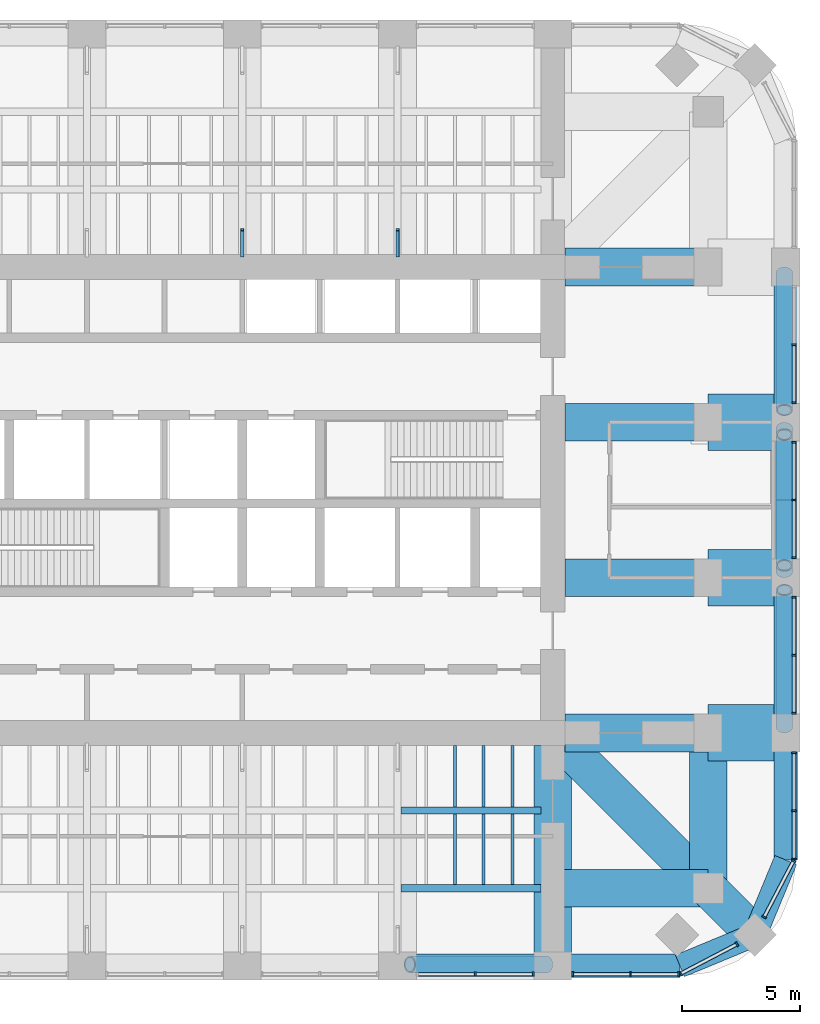
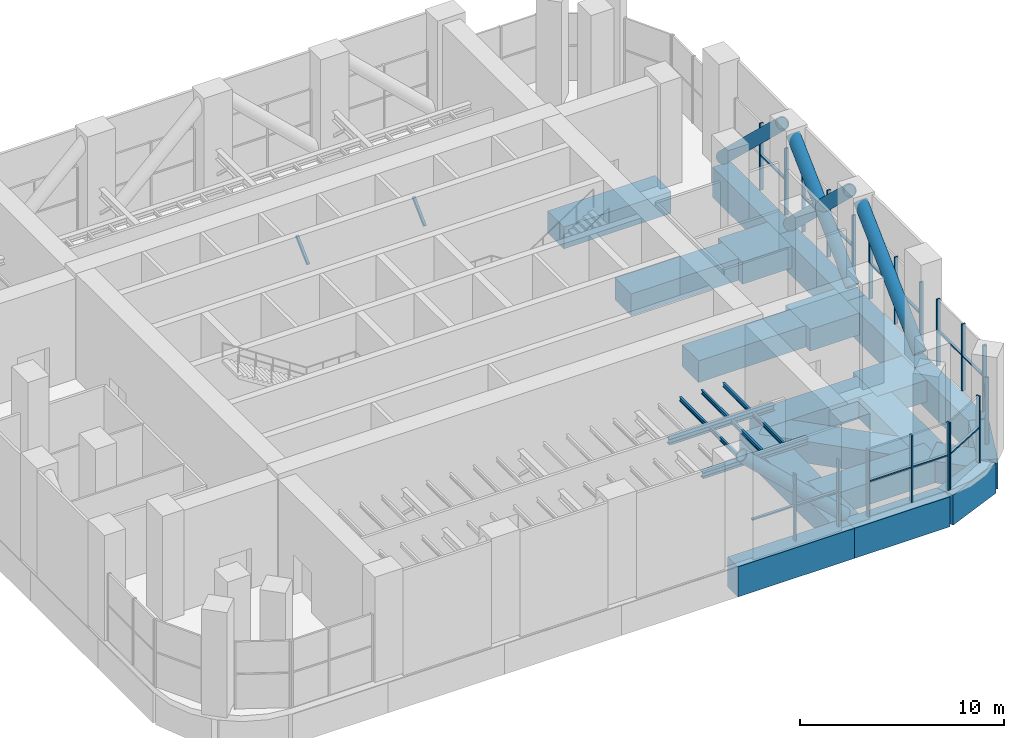
# One storey, part 4 of 15: 40 members, 28 beams, 8 elements without a shape of their own.
"""IFC4 building model written with IfcOpenShell, lengths in metres."""

from ifc_helpers import new_model, si_unit, direction, frame, origin, origin_2d, place, context, subcontext, project, spatial, rectangle, hollow_rectangle, hollow_circle, i_section, extrude, material, material_profile, profile_set, type_object, element, aggregate, save


model = new_model("IFC4")

# Units and contexts
model_context = context("Model", 3, precision=1e-05, world=origin(), true_north=direction((0.0, 1.0)))
body_context = subcontext(model_context, "Body", "Model", "MODEL_VIEW")
ifc_project = project(units=[si_unit("LENGTHUNIT", "METRE"), si_unit("AREAUNIT", "SQUARE_METRE"), si_unit("VOLUMEUNIT", "CUBIC_METRE"), si_unit("PLANEANGLEUNIT", "RADIAN"), si_unit("MASSUNIT", "GRAM", prefix="KILO")], contexts=[model_context])

# Site, building, storey
site_placement = place(None, origin())
site = spatial("IfcSite", under=ifc_project, at=site_placement, CompositionType="ELEMENT")
building_placement = place(site_placement, origin())
building = spatial("IfcBuilding", under=site, at=building_placement, Name="Cobogo Forest Laboratory Tower", CompositionType="ELEMENT")
storey_placement = place(building_placement, frame((0.0, 0.0, 222.89990234375)))
storey = spatial("IfcBuildingStorey", under=building, at=storey_placement, Name="L51", CompositionType="ELEMENT", Elevation=222.89990234375)

# Members
ifc_material_1 = material(Name="Steel S460NH", Category="steel")
ifc_material_profile_1 = material_profile(ifc_material_1, hollow_circle(Radius=0.35546875, WallThickness=0.06005859375, at=origin_2d()), Name="CHS 711x60")
ifc_profile_set_1 = profile_set([ifc_material_profile_1], Name="Steel S460NH")
member_type_1 = type_object("IfcMemberType", Name="Belt truss diagonal CHS 711x60", PredefinedType="BRACE", material=ifc_profile_set_1)
for number, where, z_axis, x_axis, name in (
    (1, (39.35009765625, 3.360107421875, 0.23876953125), (-0.723363796511, 0.0, 0.690467101242), (0.0, -1.0, 0.0), "BT1 belt truss diagonal S04 L51"),
    (2, (49.43994140625, 13.449951171875, 0.23876953125), (0.0, 0.723363796511, 0.690467101242), (-1.0, 0.0, 0.0), "BT1 belt truss diagonal E05 L51"),
    (3, (49.43994140625, 20.050048828125, 0.23876953125), (0.0, 0.723349354665, 0.69048223084), (-1.0, 0.0, 0.0), "BT1 belt truss diagonal E06 L51"),
    (4, (49.43994140625, 26.14990234375, 0.23876953125), (0.0, -0.723349354665, 0.69048223084), (1.0, 0.0, 0.0), "BT1 belt truss diagonal E07 L51"),
    (5, (49.43994140625, 32.75, 0.23876953125), (0.0, -0.723363796511, 0.690467101242), (1.0, 0.0, 0.0), "BT1 belt truss diagonal E08 L51"),
):
    element("IfcMember", number, at=place(storey_placement, frame(where, z_axis=z_axis, x_axis=x_axis)), inside=storey, type_object=member_type_1, Name=name, PredefinedType="BRACE", context=body_context, shape_type="SweptSolid", body=[
        extrude(hollow_circle(Radius=0.35546875, WallThickness=0.06005859375, at=origin_2d()), origin(), (0.0, 0.0, 1.0), 8.0595703125),
    ])

# Curtain wall, members
ifc_material_2 = material(Name="Aluminium curtain wall", Category="aluminium")
curtain_wall_type = type_object("IfcCurtainWallType", Name="CW-P louvred curtain wall, plant floors", PredefinedType="USERDEFINED", material=ifc_material_2)
curtain_wall_1_placement = place(storey_placement, origin())
curtain_wall_1 = element("IfcCurtainWall", 6, at=curtain_wall_1_placement, inside=storey, type_object=curtain_wall_type, Name="Curtain wall 05 L51", ObjectType="LOUVRED CURTAIN WALL", PredefinedType="USERDEFINED")
ifc_material_3 = material(Name="Aluminium mullion", Category="aluminium")
ifc_material_profile_2 = material_profile(ifc_material_3, rectangle(XDim=0.080078125, YDim=0.199951171875, at=origin_2d()), Name="AL 80x200")
ifc_profile_set_2 = profile_set([ifc_material_profile_2], Name="Aluminium mullion")
member_type_2 = type_object("IfcMemberType", Name="MU-3 aluminium louvre mullion 80x200", PredefinedType="MULLION", material=ifc_profile_set_2)
member_1_placement = place(storey_placement, frame((36.300048828125, 2.949951171875, 0.0), z_axis=(0.0, 0.0, 1.0), x_axis=(1.0, 0.0, 0.0)))
member_1 = element("IfcMember", 7, at=member_1_placement, type_object=member_type_2, Name="CW-P mullion 2", PredefinedType="MULLION", context=body_context, shape_type="SweptSolid", body=[
    extrude(rectangle(XDim=0.080078125, YDim=0.199951171875, at=origin_2d()), origin(), (0.0, 0.0, 1.0), 4.0),
])
member_2_placement = place(storey_placement, frame((38.760009765625, 2.949951171875, 0.0), z_axis=(0.0, 0.0, 1.0), x_axis=(1.0, 0.0, 0.0)))
member_2 = element("IfcMember", 8, at=member_2_placement, type_object=member_type_2, Name="CW-P mullion 3", PredefinedType="MULLION", context=body_context, shape_type="SweptSolid", body=[
    extrude(rectangle(XDim=0.080078125, YDim=0.199951171875, at=origin_2d()), origin(), (0.0, 0.0, 1.0), 4.0),
])

curtain_wall_2_placement = place(storey_placement, origin())
curtain_wall_2 = element("IfcCurtainWall", 9, at=curtain_wall_2_placement, inside=storey, type_object=curtain_wall_type, Name="Curtain wall 06 L51", ObjectType="LOUVRED CURTAIN WALL", PredefinedType="USERDEFINED")
member_3_placement = place(storey_placement, frame((40.43994140625, 2.949951171875, 0.0), z_axis=(0.0, 0.0, 1.0), x_axis=(1.0, 0.0, 0.0)))
member_3 = element("IfcMember", 10, at=member_3_placement, type_object=member_type_2, Name="CW-P mullion 1", PredefinedType="MULLION", context=body_context, shape_type="SweptSolid", body=[
    extrude(rectangle(XDim=0.080078125, YDim=0.199951171875, at=origin_2d()), origin(), (0.0, 0.0, 1.0), 4.0),
])
member_4_placement = place(storey_placement, frame((42.89990234375, 2.949951171875, 0.0), z_axis=(0.0, 0.0, 1.0), x_axis=(1.0, 0.0, 0.0)))
member_4 = element("IfcMember", 11, at=member_4_placement, type_object=member_type_2, Name="CW-P mullion 2", PredefinedType="MULLION", context=body_context, shape_type="SweptSolid", body=[
    extrude(rectangle(XDim=0.080078125, YDim=0.199951171875, at=origin_2d()), origin(), (0.0, 0.0, 1.0), 4.0),
])
member_5_placement = place(storey_placement, frame((44.9599609375, 2.949951171875, 0.0), z_axis=(0.0, 0.0, 1.0), x_axis=(1.0, 0.0, 0.0)))
member_5 = element("IfcMember", 12, at=member_5_placement, type_object=member_type_2, Name="CW-P mullion 3", PredefinedType="MULLION", context=body_context, shape_type="SweptSolid", body=[
    extrude(rectangle(XDim=0.080078125, YDim=0.199951171875, at=origin_2d()), origin(), (0.0, 0.0, 1.0), 4.0),
])

curtain_wall_3_placement = place(storey_placement, origin())
curtain_wall_3 = element("IfcCurtainWall", 13, at=curtain_wall_3_placement, inside=storey, type_object=curtain_wall_type, Name="Curtain wall 07 L51", ObjectType="LOUVRED CURTAIN WALL", PredefinedType="USERDEFINED")
member_6_placement = place(storey_placement, frame((45.035400390625, 2.968505859375, 0.0), z_axis=(0.0, 0.0, 1.0), x_axis=(0.885686547075, 0.464283685186, 0.0)))
member_6 = element("IfcMember", 14, at=member_6_placement, type_object=member_type_2, Name="CW-P mullion 1", PredefinedType="MULLION", context=body_context, shape_type="SweptSolid", body=[
    extrude(rectangle(XDim=0.080078125, YDim=0.199951171875, at=origin_2d()), origin(), (0.0, 0.0, 1.0), 4.0),
])
member_7_placement = place(storey_placement, frame((47.4228515625, 4.219970703125, 0.0), z_axis=(0.0, 0.0, 1.0), x_axis=(0.885686547075, 0.464283685186, 0.0)))
member_7 = element("IfcMember", 15, at=member_7_placement, type_object=member_type_2, Name="CW-P mullion 2", PredefinedType="MULLION", context=body_context, shape_type="SweptSolid", body=[
    extrude(rectangle(XDim=0.080078125, YDim=0.199951171875, at=origin_2d()), origin(), (0.0, 0.0, 1.0), 4.0),
])

curtain_wall_4_placement = place(storey_placement, origin())
curtain_wall_4 = element("IfcCurtainWall", 16, at=curtain_wall_4_placement, inside=storey, type_object=curtain_wall_type, Name="Curtain wall 08 L51", ObjectType="LOUVRED CURTAIN WALL", PredefinedType="USERDEFINED")
member_8_placement = place(storey_placement, frame((48.579833984375, 5.377197265625, 0.0), z_axis=(0.0, 0.0, 1.0), x_axis=(0.464283685186, 0.885686547075, 0.0)))
member_8 = element("IfcMember", 17, at=member_8_placement, type_object=member_type_2, Name="CW-P mullion 1", PredefinedType="MULLION", context=body_context, shape_type="SweptSolid", body=[
    extrude(rectangle(XDim=0.080078125, YDim=0.199951171875, at=origin_2d()), origin(), (0.0, 0.0, 1.0), 4.0),
])
member_9_placement = place(storey_placement, frame((49.83154296875, 7.7646484375, 0.0), z_axis=(0.0, 0.0, 1.0), x_axis=(0.464283685186, 0.885686547075, 0.0)))
member_9 = element("IfcMember", 18, at=member_9_placement, type_object=member_type_2, Name="CW-P mullion 2", PredefinedType="MULLION", context=body_context, shape_type="SweptSolid", body=[
    extrude(rectangle(XDim=0.080078125, YDim=0.199951171875, at=origin_2d()), origin(), (0.0, 0.0, 1.0), 4.0),
])

curtain_wall_5_placement = place(storey_placement, origin())
curtain_wall_5 = element("IfcCurtainWall", 19, at=curtain_wall_5_placement, inside=storey, type_object=curtain_wall_type, Name="Curtain wall 09 L51", ObjectType="LOUVRED CURTAIN WALL", PredefinedType="USERDEFINED")
member_10_placement = place(storey_placement, frame((49.85009765625, 7.840087890625, 0.0), z_axis=(0.0, 0.0, 1.0), x_axis=(0.0, 1.0, 0.0)))
member_10 = element("IfcMember", 20, at=member_10_placement, type_object=member_type_2, Name="CW-P mullion 1", PredefinedType="MULLION", context=body_context, shape_type="SweptSolid", body=[
    extrude(rectangle(XDim=0.080078125, YDim=0.199951171875, at=origin_2d()), origin(), (0.0, 0.0, 1.0), 4.0),
])
member_11_placement = place(storey_placement, frame((49.85009765625, 9.89990234375, 0.0), z_axis=(0.0, 0.0, 1.0), x_axis=(0.0, 1.0, 0.0)))
member_11 = element("IfcMember", 21, at=member_11_placement, type_object=member_type_2, Name="CW-P mullion 2", PredefinedType="MULLION", context=body_context, shape_type="SweptSolid", body=[
    extrude(rectangle(XDim=0.080078125, YDim=0.199951171875, at=origin_2d()), origin(), (0.0, 0.0, 1.0), 4.0),
])
member_12_placement = place(storey_placement, frame((49.85009765625, 12.360107421875, 0.0), z_axis=(0.0, 0.0, 1.0), x_axis=(0.0, 1.0, 0.0)))
member_12 = element("IfcMember", 22, at=member_12_placement, type_object=member_type_2, Name="CW-P mullion 3", PredefinedType="MULLION", context=body_context, shape_type="SweptSolid", body=[
    extrude(rectangle(XDim=0.080078125, YDim=0.199951171875, at=origin_2d()), origin(), (0.0, 0.0, 1.0), 4.0),
])

curtain_wall_6_placement = place(storey_placement, origin())
curtain_wall_6 = element("IfcCurtainWall", 23, at=curtain_wall_6_placement, inside=storey, type_object=curtain_wall_type, Name="Curtain wall 10 L51", ObjectType="LOUVRED CURTAIN WALL", PredefinedType="USERDEFINED")
member_13_placement = place(storey_placement, frame((49.85009765625, 14.0400390625, 0.0), z_axis=(0.0, 0.0, 1.0), x_axis=(0.0, 1.0, 0.0)))
member_13 = element("IfcMember", 24, at=member_13_placement, type_object=member_type_2, Name="CW-P mullion 1", PredefinedType="MULLION", context=body_context, shape_type="SweptSolid", body=[
    extrude(rectangle(XDim=0.080078125, YDim=0.199951171875, at=origin_2d()), origin(), (0.0, 0.0, 1.0), 4.0),
])
member_14_placement = place(storey_placement, frame((49.85009765625, 16.5, 0.0), z_axis=(0.0, 0.0, 1.0), x_axis=(0.0, 1.0, 0.0)))
member_14 = element("IfcMember", 25, at=member_14_placement, type_object=member_type_2, Name="CW-P mullion 2", PredefinedType="MULLION", context=body_context, shape_type="SweptSolid", body=[
    extrude(rectangle(XDim=0.080078125, YDim=0.199951171875, at=origin_2d()), origin(), (0.0, 0.0, 1.0), 4.0),
])
member_15_placement = place(storey_placement, frame((49.85009765625, 18.9599609375, 0.0), z_axis=(0.0, 0.0, 1.0), x_axis=(0.0, 1.0, 0.0)))
member_15 = element("IfcMember", 26, at=member_15_placement, type_object=member_type_2, Name="CW-P mullion 3", PredefinedType="MULLION", context=body_context, shape_type="SweptSolid", body=[
    extrude(rectangle(XDim=0.080078125, YDim=0.199951171875, at=origin_2d()), origin(), (0.0, 0.0, 1.0), 4.0),
])

curtain_wall_7_placement = place(storey_placement, origin())
curtain_wall_7 = element("IfcCurtainWall", 27, at=curtain_wall_7_placement, inside=storey, type_object=curtain_wall_type, Name="Curtain wall 11 L51", ObjectType="LOUVRED CURTAIN WALL", PredefinedType="USERDEFINED")
member_16_placement = place(storey_placement, frame((49.85009765625, 20.639892578125, 0.0), z_axis=(0.0, 0.0, 1.0), x_axis=(0.0, 1.0, 0.0)))
member_16 = element("IfcMember", 28, at=member_16_placement, type_object=member_type_2, Name="CW-P mullion 1", PredefinedType="MULLION", context=body_context, shape_type="SweptSolid", body=[
    extrude(rectangle(XDim=0.080078125, YDim=0.199951171875, at=origin_2d()), origin(), (0.0, 0.0, 1.0), 4.0),
])
member_17_placement = place(storey_placement, frame((49.85009765625, 23.10009765625, 0.0), z_axis=(0.0, 0.0, 1.0), x_axis=(0.0, 1.0, 0.0)))
member_17 = element("IfcMember", 29, at=member_17_placement, type_object=member_type_2, Name="CW-P mullion 2", PredefinedType="MULLION", context=body_context, shape_type="SweptSolid", body=[
    extrude(rectangle(XDim=0.080078125, YDim=0.199951171875, at=origin_2d()), origin(), (0.0, 0.0, 1.0), 4.0),
])
member_18_placement = place(storey_placement, frame((49.85009765625, 25.56005859375, 0.0), z_axis=(0.0, 0.0, 1.0), x_axis=(0.0, 1.0, 0.0)))
member_18 = element("IfcMember", 30, at=member_18_placement, type_object=member_type_2, Name="CW-P mullion 3", PredefinedType="MULLION", context=body_context, shape_type="SweptSolid", body=[
    extrude(rectangle(XDim=0.080078125, YDim=0.199951171875, at=origin_2d()), origin(), (0.0, 0.0, 1.0), 4.0),
])

curtain_wall_8_placement = place(storey_placement, origin())
curtain_wall_8 = element("IfcCurtainWall", 31, at=curtain_wall_8_placement, inside=storey, type_object=curtain_wall_type, Name="Curtain wall 12 L51", ObjectType="LOUVRED CURTAIN WALL", PredefinedType="USERDEFINED")
member_19_placement = place(storey_placement, frame((49.85009765625, 27.239990234375, 0.0), z_axis=(0.0, 0.0, 1.0), x_axis=(0.0, 1.0, 0.0)))
member_19 = element("IfcMember", 32, at=member_19_placement, type_object=member_type_2, Name="CW-P mullion 1", PredefinedType="MULLION", context=body_context, shape_type="SweptSolid", body=[
    extrude(rectangle(XDim=0.080078125, YDim=0.199951171875, at=origin_2d()), origin(), (0.0, 0.0, 1.0), 4.0),
])
member_20_placement = place(storey_placement, frame((49.85009765625, 29.699951171875, 0.0), z_axis=(0.0, 0.0, 1.0), x_axis=(0.0, 1.0, 0.0)))
member_20 = element("IfcMember", 33, at=member_20_placement, type_object=member_type_2, Name="CW-P mullion 2", PredefinedType="MULLION", context=body_context, shape_type="SweptSolid", body=[
    extrude(rectangle(XDim=0.080078125, YDim=0.199951171875, at=origin_2d()), origin(), (0.0, 0.0, 1.0), 4.0),
])

# Beams
ifc_material_4 = material(Name="Concrete HA-40 (C40/50)", Category="concrete")
ifc_material_profile_3 = material_profile(ifc_material_4, rectangle(XDim=1.60009765625, YDim=1.300048828125, at=origin_2d()), Name="RC 1600x1300")
ifc_profile_set_3 = profile_set([ifc_material_profile_3], Name="Concrete HA-40 (C40/50)")
beam_type_1 = type_object("IfcBeamType", Name="Plant and roof garden wide beam 1600x1300", PredefinedType="BEAM", material=ifc_profile_set_3)
beam_1_placement = place(storey_placement, frame((39.60009765625, 12.675048828125, -1.0), z_axis=(0.0, -1.0, 0.0), x_axis=(1.0, 0.0, 0.0)))
element("IfcBeam", 34, at=beam_1_placement, inside=storey, type_object=beam_type_1, Name="RB4 R-7-S L51", PredefinedType="BEAM", context=body_context, shape_type="SweptSolid", body=[
    extrude(rectangle(XDim=1.60009765625, YDim=1.300048828125, at=origin_2d()), origin(), (0.0, 0.0, 1.0), 9.375),
])
for number, where, z_axis, x_axis, name in (
    (35, (40.125, 13.199951171875, -1.0), (1.0, 0.0, 0.0), (0.0, 1.0, 0.0), "RB4 R-C-E L51"),
    (36, (40.125, 19.800048828125, -1.0), (1.0, 0.0, 0.0), (0.0, 1.0, 0.0), "RB4 R-D-E L51"),
    (37, (40.125, 26.39990234375, -1.0), (1.0, 0.0, 0.0), (0.0, 1.0, 0.0), "RB4 R-E-E L51"),
    (38, (40.125, 33.0, -1.0), (1.0, 0.0, 0.0), (0.0, 1.0, 0.0), "RB4 R-F-E L51"),
):
    element("IfcBeam", number, at=place(storey_placement, frame(where, z_axis=z_axis, x_axis=x_axis)), inside=storey, type_object=beam_type_1, Name=name, PredefinedType="BEAM", context=body_context, shape_type="SweptSolid", body=[
        extrude(rectangle(XDim=1.60009765625, YDim=1.300048828125, at=origin_2d()), origin(), (0.0, 0.0, 1.0), 6.074951171875),
    ])
for number, where, z_axis, x_axis, name in (
    (39, (46.199951171875, 6.60009765625, -1.0), (0.0, 1.0, 0.0), (-1.0, 0.0, 0.0), "RB4 G-SE-XC L51"),
    (40, (46.199951171875, 6.60009765625, -1.0), (-1.0, 0.0, 0.0), (0.0, -1.0, 0.0), "RB4 G-SE-YC L51"),
):
    element("IfcBeam", number, at=place(storey_placement, frame(where, z_axis=z_axis, x_axis=x_axis)), inside=storey, type_object=beam_type_1, Name=name, PredefinedType="BEAM", context=body_context, shape_type="SweptSolid", body=[
        extrude(rectangle(XDim=1.60009765625, YDim=1.300048828125, at=origin_2d()), origin(), (0.0, 0.0, 1.0), 6.599853515625),
    ])
beam_2_placement = place(storey_placement, frame((48.181884765625, 4.617919921875, -1.0), z_axis=(-0.707063230743, 0.707150328948, 0.0), x_axis=(-0.707150328948, -0.707063230743, 0.0)))
element("IfcBeam", 41, at=beam_2_placement, inside=storey, type_object=beam_type_1, Name="RB4 G-SE-D1 L51", PredefinedType="BEAM", context=body_context, shape_type="SweptSolid", body=[
    extrude(rectangle(XDim=1.60009765625, YDim=1.300048828125, at=origin_2d()), origin(), (0.0, 0.0, 1.0), 2.802978515625),
])
beam_3_placement = place(storey_placement, frame((46.199951171875, 6.60009765625, -1.0), z_axis=(-0.707106781187, 0.707106781187, 0.0), x_axis=(-0.707106781187, -0.707106781187, 0.0)))
element("IfcBeam", 42, at=beam_3_placement, inside=storey, type_object=beam_type_1, Name="RB4 G-SE-D2 L51", PredefinedType="BEAM", context=body_context, shape_type="SweptSolid", body=[
    extrude(rectangle(XDim=1.60009765625, YDim=1.300048828125, at=origin_2d()), origin(), (0.0, 0.0, 1.0), 8.59130859375),
])
ifc_material_5 = material(Name="Concrete HA-50 (C50/60)", Category="concrete")
ifc_material_profile_4 = material_profile(ifc_material_5, rectangle(XDim=2.39990234375, YDim=1.300048828125, at=origin_2d()), Name="RC 2400x1300")
ifc_profile_set_4 = profile_set([ifc_material_profile_4], Name="Concrete HA-50 (C50/60)")
beam_type_2 = type_object("IfcBeamType", Name="Plant floor end-bay beam 2400x1300", PredefinedType="BEAM", material=ifc_profile_set_4)
for number, where, z_axis, x_axis, name in (
    (43, (49.5, 13.199951171875, -1.0), (-1.0, 0.0, 0.0), (0.0, -1.0, 0.0), "RB6 R-C-E-X L51"),
    (44, (49.5, 19.800048828125, -1.0), (-1.0, 0.0, 0.0), (0.0, -1.0, 0.0), "RB6 R-D-E-X L51"),
    (45, (49.5, 26.39990234375, -1.0), (-1.0, 0.0, 0.0), (0.0, -1.0, 0.0), "RB6 R-E-E-X L51"),
):
    element("IfcBeam", number, at=place(storey_placement, frame(where, z_axis=z_axis, x_axis=x_axis)), inside=storey, type_object=beam_type_2, Name=name, PredefinedType="BEAM", context=body_context, shape_type="SweptSolid", body=[
        extrude(rectangle(XDim=2.39990234375, YDim=1.300048828125, at=origin_2d()), origin(), (0.0, 0.0, 1.0), 3.300048828125),
    ])
ifc_material_profile_5 = material_profile(ifc_material_4, rectangle(XDim=1.0, YDim=1.800048828125, at=origin_2d()), Name="RC 1000x1800")
ifc_profile_set_5 = profile_set([ifc_material_profile_5], Name="Concrete HA-40 (C40/50)")
beam_type_3 = type_object("IfcBeamType", Name="Plant floor perimeter girder 1000x1800", PredefinedType="BEAM", material=ifc_profile_set_5)
for number, where, z_axis, x_axis, name in (
    (46, (33.0, 3.300048828125, -1.25), (1.0, 0.0, 0.0), (0.0, 1.0, 0.0), "TG1 E-S4 L51"),
    (47, (49.5, 13.199951171875, -1.25), (0.0, 1.0, 0.0), (-1.0, 0.0, 0.0), "TG1 E-E1 L51"),
):
    element("IfcBeam", number, at=place(storey_placement, frame(where, z_axis=z_axis, x_axis=x_axis)), inside=storey, type_object=beam_type_3, Name=name, PredefinedType="BEAM", context=body_context, shape_type="SweptSolid", body=[
        extrude(rectangle(XDim=1.0, YDim=1.800048828125, at=origin_2d()), origin(), (0.0, 0.0, 1.0), 6.60009765625),
    ])
beam_4_placement = place(storey_placement, frame((49.5, 19.800048828125, -1.25), z_axis=(0.0, 1.0, 0.0), x_axis=(-1.0, 0.0, 0.0)))
element("IfcBeam", 48, at=beam_4_placement, inside=storey, type_object=beam_type_3, Name="TG1 E-E2 L51", PredefinedType="BEAM", context=body_context, shape_type="SweptSolid", body=[
    extrude(rectangle(XDim=1.0, YDim=1.800048828125, at=origin_2d()), origin(), (0.0, 0.0, 1.0), 6.599853515625),
])
beam_5_placement = place(storey_placement, frame((49.5, 26.39990234375, -1.25), z_axis=(0.0, 1.0, 0.0), x_axis=(-1.0, 0.0, 0.0)))
element("IfcBeam", 49, at=beam_5_placement, inside=storey, type_object=beam_type_3, Name="TG1 E-E3 L51", PredefinedType="BEAM", context=body_context, shape_type="SweptSolid", body=[
    extrude(rectangle(XDim=1.0, YDim=1.800048828125, at=origin_2d()), origin(), (0.0, 0.0, 1.0), 6.60009765625),
])
beam_6_placement = place(storey_placement, frame((39.60009765625, 3.300048828125, -1.25), z_axis=(1.0, 0.0, 0.0), x_axis=(0.0, 1.0, 0.0)))
element("IfcBeam", 50, at=beam_6_placement, inside=storey, type_object=beam_type_3, Name="TG1 E-SES1 L51", PredefinedType="BEAM", context=body_context, shape_type="SweptSolid", body=[
    extrude(rectangle(XDim=1.0, YDim=1.800048828125, at=origin_2d()), origin(), (0.0, 0.0, 1.0), 5.39990234375),
])
beam_7_placement = place(storey_placement, frame((45.0, 3.300048828125, -1.25), z_axis=(0.923890694089, 0.382656484822, 0.0), x_axis=(-0.382656484822, 0.923890694089, 0.0)))
element("IfcBeam", 51, at=beam_7_placement, inside=storey, type_object=beam_type_3, Name="TG1 E-SES2 L51", PredefinedType="BEAM", context=body_context, shape_type="SweptSolid", body=[
    extrude(rectangle(XDim=1.0, YDim=1.800048828125, at=origin_2d()), origin(), (0.0, 0.0, 1.0), 3.444091796875),
])
beam_8_placement = place(storey_placement, frame((49.5, 13.199951171875, -1.25), z_axis=(0.0, -1.0, 0.0), x_axis=(1.0, 0.0, 0.0)))
element("IfcBeam", 52, at=beam_8_placement, inside=storey, type_object=beam_type_3, Name="TG1 E-SEE1 L51", PredefinedType="BEAM", context=body_context, shape_type="SweptSolid", body=[
    extrude(rectangle(XDim=1.0, YDim=1.800048828125, at=origin_2d()), origin(), (0.0, 0.0, 1.0), 5.39990234375),
])
beam_9_placement = place(storey_placement, frame((49.5, 7.800048828125, -1.25), z_axis=(-0.382691928466, -0.923876013265, 0.0), x_axis=(0.923876013265, -0.382691928466, 0.0)))
element("IfcBeam", 53, at=beam_9_placement, inside=storey, type_object=beam_type_3, Name="TG1 E-SEE2 L51", PredefinedType="BEAM", context=body_context, shape_type="SweptSolid", body=[
    extrude(rectangle(XDim=1.0, YDim=1.800048828125, at=origin_2d()), origin(), (0.0, 0.0, 1.0), 3.4443359375),
])

# Members
ifc_material_6 = material(Name="Steel S355", Category="steel")
ifc_material_profile_6 = material_profile(ifc_material_6, hollow_rectangle(XDim=0.14990234375, YDim=0.14990234375, WallThickness=0.008056640625, InnerFilletRadius=0.008056640625, OuterFilletRadius=0.011962890625, at=origin_2d()), Name="SHS 150x8")
ifc_profile_set_6 = profile_set([ifc_material_profile_6], Name="Steel S355")
member_type_3 = type_object("IfcMemberType", Name="Plant knee brace SHS 150x8", PredefinedType="BRACE", material=ifc_profile_set_6)
for number, where, z_axis, x_axis, name in (
    (54, (26.39990234375, 33.471923828125, 1.4501953125), (0.0, 0.725172744362, 0.68856698355), (-1.0, 0.0, 0.0), "PX2 AHU-N knee brace 5-2 L51"),
    (55, (33.0, 33.471923828125, 1.4501953125), (0.0, 0.725172744362, 0.68856698355), (-1.0, 0.0, 0.0), "PX2 AHU-N knee brace 6-2 L51"),
):
    element("IfcMember", number, at=place(storey_placement, frame(where, z_axis=z_axis, x_axis=x_axis)), inside=storey, type_object=member_type_3, Name=name, PredefinedType="BRACE", context=body_context, shape_type="SweptSolid", body=[
        extrude(hollow_rectangle(XDim=0.14990234375, YDim=0.14990234375, WallThickness=0.008056640625, InnerFilletRadius=0.008056640625, OuterFilletRadius=0.011962890625, at=origin_2d()), origin(), (0.0, 0.0, 1.0), 1.54736328125),
    ])

# Beams
ifc_material_profile_7 = material_profile(ifc_material_6, i_section(OverallWidth=0.300048828125, OverallDepth=0.35009765625, WebThickness=0.010009765625, FlangeThickness=0.017578125, FilletRadius=0.027099609375, at=origin_2d()), Name="HEA 360")
ifc_profile_set_7 = profile_set([ifc_material_profile_7], Name="Steel S355")
beam_type_4 = type_object("IfcBeamType", Name="Plant platform beam HEA 360", PredefinedType="BEAM", material=ifc_profile_set_7)
for number, where, z_axis, x_axis, name in (
    (56, (33.14990234375, 6.60009765625, 2.8251953125), (1.0, 0.0, 0.0), (0.0, 1.0, 0.0), "PB3 AHU-S platform beam 4 at 3300 L51"),
    (57, (33.14990234375, 9.89990234375, 2.8251953125), (1.0, 0.0, 0.0), (0.0, 1.0, 0.0), "PB3 AHU-S platform beam 4 at 6600 L51"),
):
    element("IfcBeam", number, at=place(storey_placement, frame(where, z_axis=z_axis, x_axis=x_axis)), inside=storey, type_object=beam_type_4, Name=name, PredefinedType="BEAM", context=body_context, shape_type="SweptSolid", body=[
        extrude(i_section(OverallWidth=0.300048828125, OverallDepth=0.35009765625, WebThickness=0.010009765625, FlangeThickness=0.017578125, FilletRadius=0.027099609375, at=origin_2d()), origin(), (0.0, 0.0, 1.0), 5.9501953125),
    ])
ifc_material_profile_8 = material_profile(ifc_material_6, i_section(OverallWidth=0.1201171875, OverallDepth=0.239990234375, WebThickness=0.006103515625, FlangeThickness=0.009765625, FilletRadius=0.014892578125, at=origin_2d()), Name="IPE 240")
ifc_profile_set_8 = profile_set([ifc_material_profile_8], Name="Steel S355")
beam_type_5 = type_object("IfcBeamType", Name="Plant platform joist IPE 240", PredefinedType="JOIST", material=ifc_profile_set_8)
beam_10_placement = place(storey_placement, frame((35.43994140625, 6.75, 2.880126953125), z_axis=(0.0, 1.0, 0.0), x_axis=(-1.0, 0.0, 0.0)))
element("IfcBeam", 58, at=beam_10_placement, inside=storey, type_object=beam_type_5, Name="PJ1 AHU-S joist 4.2 row 1 L51", PredefinedType="JOIST", context=body_context, shape_type="SweptSolid", body=[
    extrude(i_section(OverallWidth=0.1201171875, OverallDepth=0.239990234375, WebThickness=0.006103515625, FlangeThickness=0.009765625, FilletRadius=0.014892578125, at=origin_2d()), origin(), (0.0, 0.0, 1.0), 3.0),
])
beam_11_placement = place(storey_placement, frame((35.43994140625, 10.050048828125, 2.880126953125), z_axis=(0.0, 1.0, 0.0), x_axis=(-1.0, 0.0, 0.0)))
element("IfcBeam", 59, at=beam_11_placement, inside=storey, type_object=beam_type_5, Name="PJ1 AHU-S joist 4.2 row 2 L51", PredefinedType="JOIST", context=body_context, shape_type="SweptSolid", body=[
    extrude(i_section(OverallWidth=0.1201171875, OverallDepth=0.239990234375, WebThickness=0.006103515625, FlangeThickness=0.009765625, FilletRadius=0.014892578125, at=origin_2d()), origin(), (0.0, 0.0, 1.0), 2.625),
])
beam_12_placement = place(storey_placement, frame((36.659912109375, 6.75, 2.880126953125), z_axis=(0.0, 1.0, 0.0), x_axis=(-1.0, 0.0, 0.0)))
element("IfcBeam", 60, at=beam_12_placement, inside=storey, type_object=beam_type_5, Name="PJ1 AHU-S joist 4.3 row 1 L51", PredefinedType="JOIST", context=body_context, shape_type="SweptSolid", body=[
    extrude(i_section(OverallWidth=0.1201171875, OverallDepth=0.239990234375, WebThickness=0.006103515625, FlangeThickness=0.009765625, FilletRadius=0.014892578125, at=origin_2d()), origin(), (0.0, 0.0, 1.0), 3.0),
])
beam_13_placement = place(storey_placement, frame((36.659912109375, 10.050048828125, 2.880126953125), z_axis=(0.0, 1.0, 0.0), x_axis=(-1.0, 0.0, 0.0)))
element("IfcBeam", 61, at=beam_13_placement, inside=storey, type_object=beam_type_5, Name="PJ1 AHU-S joist 4.3 row 2 L51", PredefinedType="JOIST", context=body_context, shape_type="SweptSolid", body=[
    extrude(i_section(OverallWidth=0.1201171875, OverallDepth=0.239990234375, WebThickness=0.006103515625, FlangeThickness=0.009765625, FilletRadius=0.014892578125, at=origin_2d()), origin(), (0.0, 0.0, 1.0), 2.625),
])
beam_14_placement = place(storey_placement, frame((37.8798828125, 6.75, 2.880126953125), z_axis=(0.0, 1.0, 0.0), x_axis=(-1.0, 0.0, 0.0)))
element("IfcBeam", 62, at=beam_14_placement, inside=storey, type_object=beam_type_5, Name="PJ1 AHU-S joist 4.4 row 1 L51", PredefinedType="JOIST", context=body_context, shape_type="SweptSolid", body=[
    extrude(i_section(OverallWidth=0.1201171875, OverallDepth=0.239990234375, WebThickness=0.006103515625, FlangeThickness=0.009765625, FilletRadius=0.014892578125, at=origin_2d()), origin(), (0.0, 0.0, 1.0), 3.0),
])
beam_15_placement = place(storey_placement, frame((37.8798828125, 10.050048828125, 2.880126953125), z_axis=(0.0, 1.0, 0.0), x_axis=(-1.0, 0.0, 0.0)))
element("IfcBeam", 63, at=beam_15_placement, inside=storey, type_object=beam_type_5, Name="PJ1 AHU-S joist 4.4 row 2 L51", PredefinedType="JOIST", context=body_context, shape_type="SweptSolid", body=[
    extrude(i_section(OverallWidth=0.1201171875, OverallDepth=0.239990234375, WebThickness=0.006103515625, FlangeThickness=0.009765625, FilletRadius=0.014892578125, at=origin_2d()), origin(), (0.0, 0.0, 1.0), 2.625),
])

# Member
ifc_material_7 = material(Name="Aluminium transom", Category="aluminium")
ifc_material_profile_9 = material_profile(ifc_material_7, rectangle(XDim=0.14990234375, YDim=0.080078125, at=origin_2d()), Name="AL 80x150")
ifc_profile_set_9 = profile_set([ifc_material_profile_9], Name="Aluminium transom")
member_type_4 = type_object("IfcMemberType", Name="TR-2 aluminium louvre transom 80x150", PredefinedType="USERDEFINED", material=ifc_profile_set_9)
member_21_placement = place(storey_placement, frame((33.8798828125, 2.949951171875, 2.10009765625), z_axis=(1.0, 0.0, 0.0), x_axis=(0.0, 1.0, 0.0)))
member_21 = element("IfcMember", 64, at=member_21_placement, type_object=member_type_4, Name="CW-P transom 1.1", ObjectType="TRANSOM", PredefinedType="USERDEFINED", context=body_context, shape_type="SweptSolid", body=[
    extrude(rectangle(XDim=0.14990234375, YDim=0.080078125, at=origin_2d()), origin(), (0.0, 0.0, 1.0), 2.380126953125),
])

member_22_placement = place(storey_placement, frame((36.340087890625, 2.949951171875, 2.10009765625), z_axis=(1.0, 0.0, 0.0), x_axis=(0.0, 1.0, 0.0)))
member_22 = element("IfcMember", 65, at=member_22_placement, type_object=member_type_4, Name="CW-P transom 2.1", ObjectType="TRANSOM", PredefinedType="USERDEFINED", context=body_context, shape_type="SweptSolid", body=[
    extrude(rectangle(XDim=0.14990234375, YDim=0.080078125, at=origin_2d()), origin(), (0.0, 0.0, 1.0), 2.3798828125),
])

aggregate(curtain_wall_1, [member_1, member_2, member_21, member_22])

member_23_placement = place(storey_placement, frame((40.47998046875, 2.949951171875, 2.10009765625), z_axis=(1.0, 0.0, 0.0), x_axis=(0.0, 1.0, 0.0)))
member_23 = element("IfcMember", 66, at=member_23_placement, type_object=member_type_4, Name="CW-P transom 1.1", ObjectType="TRANSOM", PredefinedType="USERDEFINED", context=body_context, shape_type="SweptSolid", body=[
    extrude(rectangle(XDim=0.14990234375, YDim=0.080078125, at=origin_2d()), origin(), (0.0, 0.0, 1.0), 2.380126953125),
])

member_24_placement = place(storey_placement, frame((42.93994140625, 2.949951171875, 2.10009765625), z_axis=(1.0, 0.0, 0.0), x_axis=(0.0, 1.0, 0.0)))
member_24 = element("IfcMember", 67, at=member_24_placement, type_object=member_type_4, Name="CW-P transom 2.1", ObjectType="TRANSOM", PredefinedType="USERDEFINED", context=body_context, shape_type="SweptSolid", body=[
    extrude(rectangle(XDim=0.14990234375, YDim=0.080078125, at=origin_2d()), origin(), (0.0, 0.0, 1.0), 1.97998046875),
])

aggregate(curtain_wall_2, [member_3, member_4, member_5, member_23, member_24])

member_25_placement = place(storey_placement, frame((45.07080078125, 2.987060546875, 2.10009765625), z_axis=(0.885694477554, 0.464268556366, 0.0), x_axis=(-0.464268556366, 0.885694477554, 0.0)))
member_25 = element("IfcMember", 68, at=member_25_placement, type_object=member_type_4, Name="CW-P transom 1.1", ObjectType="TRANSOM", PredefinedType="USERDEFINED", context=body_context, shape_type="SweptSolid", body=[
    extrude(rectangle(XDim=0.14990234375, YDim=0.080078125, at=origin_2d()), origin(), (0.0, 0.0, 1.0), 2.61572265625),
])

aggregate(curtain_wall_3, [member_6, member_7, member_25])

member_26_placement = place(storey_placement, frame((48.598388671875, 5.41259765625, 2.10009765625), z_axis=(0.464268556366, 0.885694477554, 0.0), x_axis=(-0.885694477554, 0.464268556366, 0.0)))
member_26 = element("IfcMember", 69, at=member_26_placement, type_object=member_type_4, Name="CW-P transom 1.1", ObjectType="TRANSOM", PredefinedType="USERDEFINED", context=body_context, shape_type="SweptSolid", body=[
    extrude(rectangle(XDim=0.14990234375, YDim=0.080078125, at=origin_2d()), origin(), (0.0, 0.0, 1.0), 2.61572265625),
])

aggregate(curtain_wall_4, [member_8, member_9, member_26])

member_27_placement = place(storey_placement, frame((49.85009765625, 7.8798828125, 2.10009765625), z_axis=(0.0, 1.0, 0.0), x_axis=(-1.0, 0.0, 0.0)))
member_27 = element("IfcMember", 70, at=member_27_placement, type_object=member_type_4, Name="CW-P transom 1.1", ObjectType="TRANSOM", PredefinedType="USERDEFINED", context=body_context, shape_type="SweptSolid", body=[
    extrude(rectangle(XDim=0.14990234375, YDim=0.080078125, at=origin_2d()), origin(), (0.0, 0.0, 1.0), 1.980224609375),
])

member_28_placement = place(storey_placement, frame((49.85009765625, 9.93994140625, 2.10009765625), z_axis=(0.0, 1.0, 0.0), x_axis=(-1.0, 0.0, 0.0)))
member_28 = element("IfcMember", 71, at=member_28_placement, type_object=member_type_4, Name="CW-P transom 2.1", ObjectType="TRANSOM", PredefinedType="USERDEFINED", context=body_context, shape_type="SweptSolid", body=[
    extrude(rectangle(XDim=0.14990234375, YDim=0.080078125, at=origin_2d()), origin(), (0.0, 0.0, 1.0), 2.380126953125),
])

aggregate(curtain_wall_5, [member_10, member_11, member_12, member_27, member_28])

member_29_placement = place(storey_placement, frame((49.85009765625, 14.080078125, 2.10009765625), z_axis=(0.0, 1.0, 0.0), x_axis=(-1.0, 0.0, 0.0)))
member_29 = element("IfcMember", 72, at=member_29_placement, type_object=member_type_4, Name="CW-P transom 1.1", ObjectType="TRANSOM", PredefinedType="USERDEFINED", context=body_context, shape_type="SweptSolid", body=[
    extrude(rectangle(XDim=0.14990234375, YDim=0.080078125, at=origin_2d()), origin(), (0.0, 0.0, 1.0), 2.3798828125),
])

member_30_placement = place(storey_placement, frame((49.85009765625, 16.5400390625, 2.10009765625), z_axis=(0.0, 1.0, 0.0), x_axis=(-1.0, 0.0, 0.0)))
member_30 = element("IfcMember", 73, at=member_30_placement, type_object=member_type_4, Name="CW-P transom 2.1", ObjectType="TRANSOM", PredefinedType="USERDEFINED", context=body_context, shape_type="SweptSolid", body=[
    extrude(rectangle(XDim=0.14990234375, YDim=0.080078125, at=origin_2d()), origin(), (0.0, 0.0, 1.0), 2.3798828125),
])

aggregate(curtain_wall_6, [member_13, member_14, member_15, member_29, member_30])

member_31_placement = place(storey_placement, frame((49.85009765625, 20.679931640625, 2.10009765625), z_axis=(0.0, 1.0, 0.0), x_axis=(-1.0, 0.0, 0.0)))
member_31 = element("IfcMember", 74, at=member_31_placement, type_object=member_type_4, Name="CW-P transom 1.1", ObjectType="TRANSOM", PredefinedType="USERDEFINED", context=body_context, shape_type="SweptSolid", body=[
    extrude(rectangle(XDim=0.14990234375, YDim=0.080078125, at=origin_2d()), origin(), (0.0, 0.0, 1.0), 2.380126953125),
])

member_32_placement = place(storey_placement, frame((49.85009765625, 23.139892578125, 2.10009765625), z_axis=(0.0, 1.0, 0.0), x_axis=(-1.0, 0.0, 0.0)))
member_32 = element("IfcMember", 75, at=member_32_placement, type_object=member_type_4, Name="CW-P transom 2.1", ObjectType="TRANSOM", PredefinedType="USERDEFINED", context=body_context, shape_type="SweptSolid", body=[
    extrude(rectangle(XDim=0.14990234375, YDim=0.080078125, at=origin_2d()), origin(), (0.0, 0.0, 1.0), 2.380126953125),
])

aggregate(curtain_wall_7, [member_16, member_17, member_18, member_31, member_32])

member_33_placement = place(storey_placement, frame((49.85009765625, 27.280029296875, 2.10009765625), z_axis=(0.0, 1.0, 0.0), x_axis=(-1.0, 0.0, 0.0)))
member_33 = element("IfcMember", 76, at=member_33_placement, type_object=member_type_4, Name="CW-P transom 1.1", ObjectType="TRANSOM", PredefinedType="USERDEFINED", context=body_context, shape_type="SweptSolid", body=[
    extrude(rectangle(XDim=0.14990234375, YDim=0.080078125, at=origin_2d()), origin(), (0.0, 0.0, 1.0), 2.3798828125),
])

aggregate(curtain_wall_8, [member_19, member_20, member_33])

save(model, "model.ifc")
